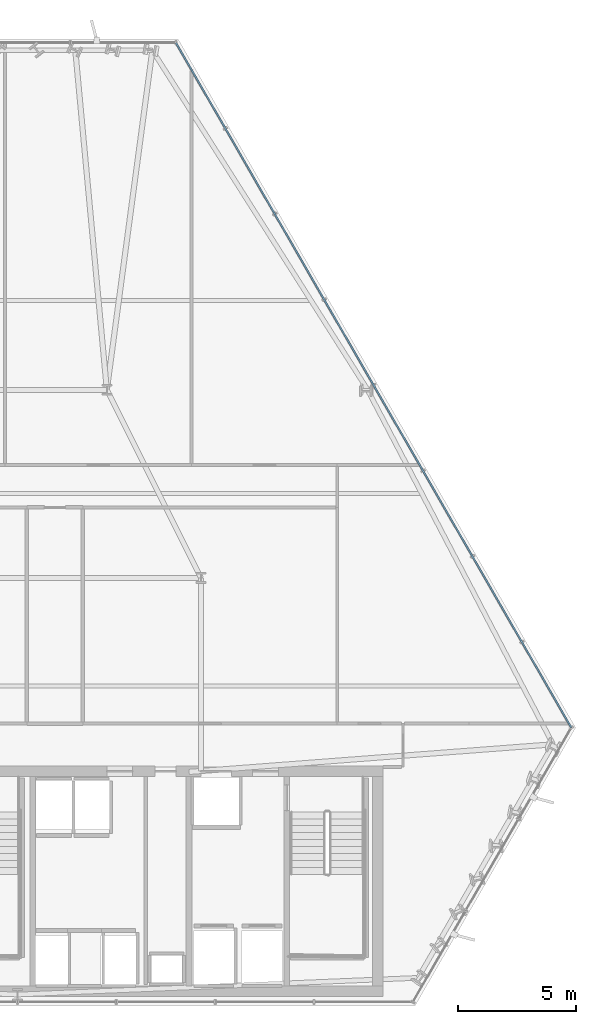
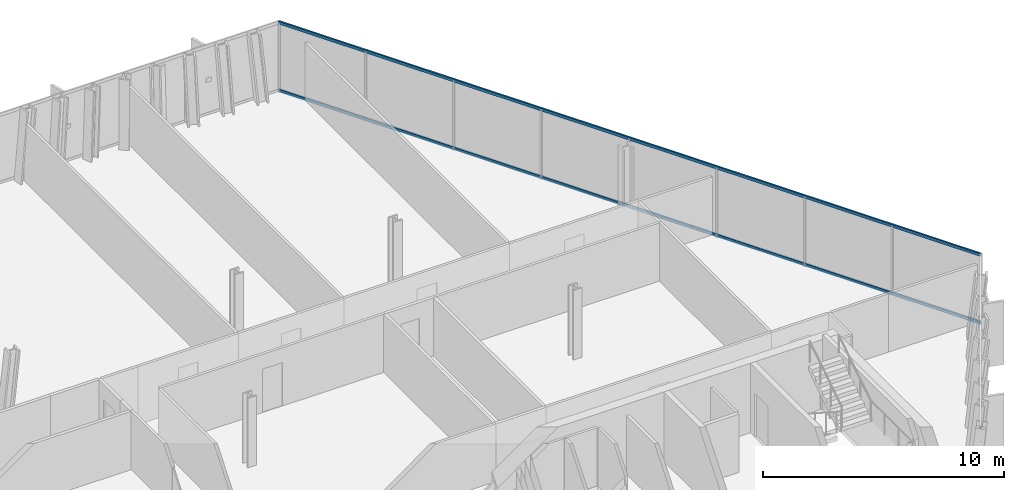
# One storey, part 18 of 31: 2 members, 1 element without a shape of its own.
"""IFC4 building model written with IfcOpenShell, lengths in metres."""

from ifc_helpers import new_model, si_unit, direction, frame, origin, origin_2d, place, context, subcontext, project, spatial, hollow_rectangle, extrude, material, layer, layer_set, material_profile, profile_set, type_object, element, aggregate, save


model = new_model("IFC4")

# Units and contexts
model_context = context("Model", 3, precision=1e-05, world=origin(), true_north=direction((0.0, 1.0)))
body_context = subcontext(model_context, "Body", "Model", "MODEL_VIEW")
ifc_project = project(units=[si_unit("LENGTHUNIT", "METRE"), si_unit("AREAUNIT", "SQUARE_METRE"), si_unit("VOLUMEUNIT", "CUBIC_METRE"), si_unit("PLANEANGLEUNIT", "RADIAN"), si_unit("MASSUNIT", "GRAM", prefix="KILO")], contexts=[model_context])

# Site, building, storey
site_placement = place(None, origin())
site = spatial("IfcSite", under=ifc_project, at=site_placement, CompositionType="ELEMENT")
building_placement = place(site_placement, origin())
building = spatial("IfcBuilding", under=site, at=building_placement, Name="Ndaravel Arena Tower", CompositionType="ELEMENT")
storey_placement = place(building_placement, frame((0.0, 0.0, 108.199951171875)))
storey = spatial("IfcBuildingStorey", under=building, at=storey_placement, Name="L25", CompositionType="ELEMENT", Elevation=108.199951171875)

# Curtain wall, members
ifc_material_1 = material(Name="Aluminium", Category="aluminium")
ifc_layer = layer(ifc_material_1, 0.179931640625)
ifc_layer_set = layer_set([ifc_layer], Name="Aluminium")
curtain_wall_type = type_object("IfcCurtainWallType", Name="CW-SYS-03", PredefinedType="NOTDEFINED", material=ifc_layer_set)
curtain_wall_placement = place(storey_placement, origin())
curtain_wall = element("IfcCurtainWall", 1, at=curtain_wall_placement, inside=storey, type_object=curtain_wall_type, Name="L25 Faceted Crystal Curtain Wall CW-L25-E03", PredefinedType="NOTDEFINED")
ifc_material_2 = material(Name="Aluminium", Category="aluminium")
ifc_material_profile = material_profile(ifc_material_2, hollow_rectangle(XDim=0.074951171875, YDim=0.14990234375, WallThickness=0.00390625, at=origin_2d()), Name="CW TRANSOM 75x150x4")
ifc_profile_set = profile_set([ifc_material_profile], Name="Aluminium")
member_type = type_object("IfcMemberType", Name="MEM-CW-TRN150", PredefinedType="USERDEFINED", material=ifc_profile_set)
member_1_placement = place(storey_placement, frame((65.557373046875, 16.832763671875, 0.0400390625), z_axis=(-0.49999932107, 0.866025795764, 0.0), x_axis=(-0.866025795764, -0.49999932107, 0.0)))
member_1 = element("IfcMember", 2, at=member_1_placement, type_object=member_type, Name="CW-L25-E03 Transom 01", ObjectType="TRANSOM", PredefinedType="USERDEFINED", context=body_context, shape_type="SweptSolid", body=[
    extrude(hollow_rectangle(XDim=0.074951171875, YDim=0.14990234375, WallThickness=0.00390625, at=origin_2d()), origin(), (0.0, 0.0, 1.0), 33.63623046875),
])
member_2_placement = place(storey_placement, frame((65.557373046875, 16.832763671875, 3.47998046875), z_axis=(-0.49999932107, 0.866025795764, 0.0), x_axis=(-0.866025795764, -0.49999932107, 0.0)))
member_2 = element("IfcMember", 3, at=member_2_placement, type_object=member_type, Name="CW-L25-E03 Transom 02", ObjectType="TRANSOM", PredefinedType="USERDEFINED", context=body_context, shape_type="SweptSolid", body=[
    extrude(hollow_rectangle(XDim=0.074951171875, YDim=0.14990234375, WallThickness=0.00390625, at=origin_2d()), origin(), (0.0, 0.0, 1.0), 33.63623046875),
])
aggregate(curtain_wall, [member_1, member_2])

save(model, "model.ifc")
